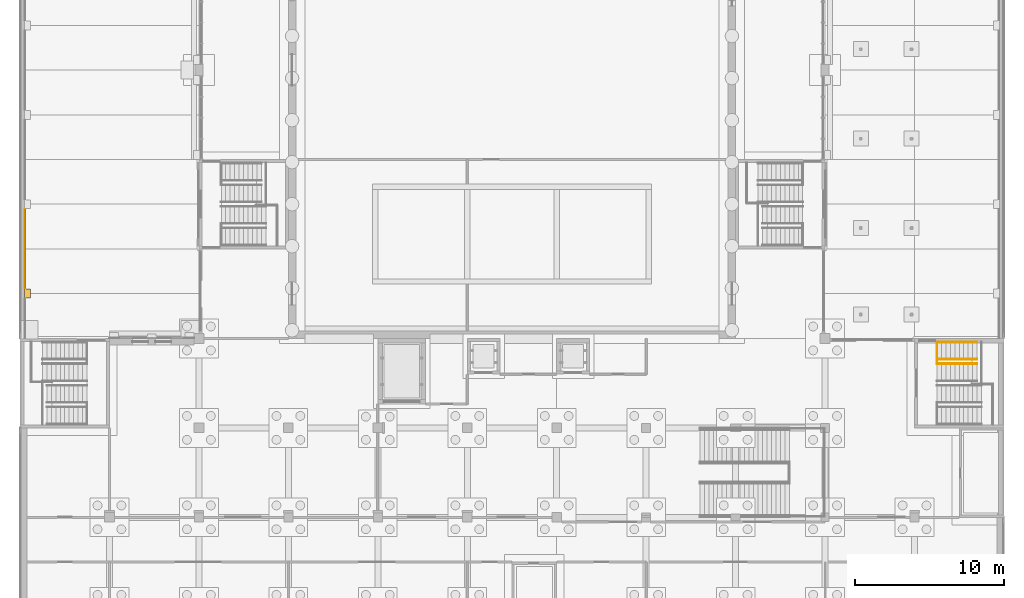
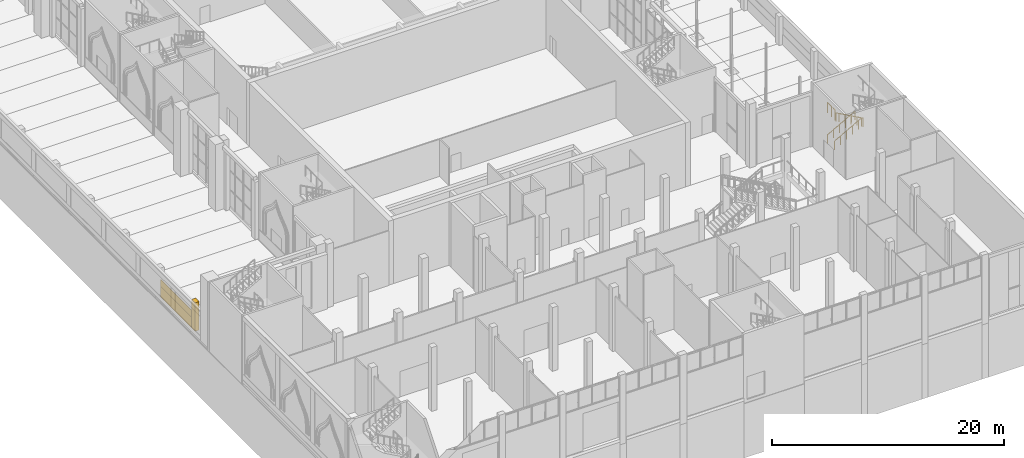
# One storey, part 65 of 95: 4 railings, 3 coverings.
"""IFC4 building model written with IfcOpenShell, lengths in metres."""

from ifc_helpers import new_model, si_unit, direction, frame, origin, origin_2d, place, context, subcontext, project, spatial, rectangle, circle, extrude, material, layer, layer_set, type_object, element, save


model = new_model("IFC4")

# Units and contexts
model_context = context("Model", 3, precision=1e-05, world=origin(), true_north=direction((0.0, 1.0)))
body_context = subcontext(model_context, "Body", "Model", "MODEL_VIEW")
ifc_project = project(units=[si_unit("LENGTHUNIT", "METRE"), si_unit("AREAUNIT", "SQUARE_METRE"), si_unit("VOLUMEUNIT", "CUBIC_METRE"), si_unit("PLANEANGLEUNIT", "RADIAN"), si_unit("MASSUNIT", "GRAM", prefix="KILO")], contexts=[model_context])

# Site, building, storey
site_placement = place(None, origin())
site = spatial("IfcSite", under=ifc_project, at=site_placement, CompositionType="ELEMENT")
building_placement = place(site_placement, origin())
building = spatial("IfcBuilding", under=site, at=building_placement, Name="Saffron Lane Theatres", CompositionType="ELEMENT")
storey_placement = place(building_placement, origin())
storey = spatial("IfcBuildingStorey", under=building, at=storey_placement, Name="L00", CompositionType="ELEMENT", Elevation=0.0)

# Coverings
ifc_material_1 = material(Name="Masonry sandstone", Category="masonry")
ifc_layer_1 = layer(ifc_material_1, 0.0400390625)
ifc_layer_set_1 = layer_set([ifc_layer_1], Name="Masonry sandstone")
covering_type_1 = type_object("IfcCoveringType", Name="EX-BANDING COURSE SANDSTONE 40", PredefinedType="CLADDING", material=ifc_layer_set_1)
covering_1_placement = place(storey_placement, frame((0.330078125, 36.0, 1.10009765625), z_axis=(0.0, 0.0, 1.0), x_axis=(0.0, 1.0, 0.0)))
element("IfcCovering", 1, at=covering_1_placement, inside=storey, type_object=covering_type_1, Name="Banding course L00", PredefinedType="CLADDING", context=body_context, shape_type="SweptSolid", body=[
    extrude(rectangle(XDim=5.300048828125, YDim=0.0400390625, at=origin_2d()), origin(), (0.0, 0.0, 1.0), 0.75),
])
ifc_material_2 = material(Name="Masonry sandstone", Category="masonry")
ifc_layer_2 = layer(ifc_material_2, 0.39990234375)
ifc_layer_set_2 = layer_set([ifc_layer_2], Name="Masonry sandstone")
covering_type_2 = type_object("IfcCoveringType", Name="EX-BOUNDARY PILASTER SANDSTONE 400", PredefinedType="CLADDING", material=ifc_layer_set_2)
covering_2_placement = place(storey_placement, frame((0.510009765625, 33.0, 0.0), z_axis=(0.0, 0.0, 1.0), x_axis=(0.0, 1.0, 0.0)))
element("IfcCovering", 2, at=covering_2_placement, inside=storey, type_object=covering_type_2, Name="Boundary wall pilaster L00", PredefinedType="CLADDING", context=body_context, shape_type="SweptSolid", body=[
    extrude(rectangle(XDim=0.60009765625, YDim=0.39990234375, at=origin_2d()), origin(), (0.0, 0.0, 1.0), 3.0),
])
ifc_material_3 = material(Name="Masonry sandstone", Category="masonry")
ifc_layer_3 = layer(ifc_material_3, 0.070068359375)
ifc_layer_set_3 = layer_set([ifc_layer_3], Name="Masonry sandstone")
covering_type_3 = type_object("IfcCoveringType", Name="EX-PLINTH COURSE SANDSTONE 70", PredefinedType="CLADDING", material=ifc_layer_set_3)
covering_3_placement = place(storey_placement, frame((0.344970703125, 36.0, 0.0), z_axis=(0.0, 0.0, 1.0), x_axis=(0.0, 1.0, 0.0)))
element("IfcCovering", 3, at=covering_3_placement, inside=storey, type_object=covering_type_3, Name="Plinth course L00", PredefinedType="CLADDING", context=body_context, shape_type="SweptSolid", body=[
    extrude(rectangle(XDim=5.300048828125, YDim=0.070068359375, at=origin_2d()), origin(), (0.0, 0.0, 1.0), 1.10009765625),
])

# Railings
ifc_material_4 = material(Name="Steel Grade 350", Category="steel")
railing_type_1 = type_object("IfcRailingType", Name="VC-GUARD 1100", PredefinedType="GUARDRAIL", material=ifc_material_4)
railing_1_placement = place(storey_placement, frame((61.5, 29.77001953125, 3.333251953125)))
element("IfcRailing", 4, at=railing_1_placement, inside=storey, type_object=railing_type_1, Name="Studio North Stair landing guard 1S2w", PredefinedType="GUARDRAIL", context=body_context, shape_type="SweptSolid", body=[
    extrude(circle(Radius=0.02392578125, at=origin_2d()), frame((0.0, 0.0, 1.076171875), z_axis=(0.0, -1.0, 0.0), x_axis=(1.0, 0.0, 0.0)), (0.0, 0.0, 1.0), 1.320068359375),
    extrude(circle(Radius=0.02099609375, at=origin_2d()), origin(), (0.0, 0.0, 1.0), 1.052001953125),
    extrude(circle(Radius=0.02099609375, at=origin_2d()), frame((0.0, -0.66015625, 0.0)), (0.0, 0.0, 1.0), 1.052001953125),
    extrude(circle(Radius=0.02099609375, at=origin_2d()), frame((0.0, -1.320068359375, 0.0)), (0.0, 0.0, 1.0), 1.052001953125),
])
ifc_material_5 = material(Name="Steel Grade 350", Category="steel")
railing_type_2 = type_object("IfcRailingType", Name="VC-HANDRAIL 900", PredefinedType="HANDRAIL", material=ifc_material_5)
railing_2_placement = place(storey_placement, frame((61.5, 29.75, 0.166748046875)))
element("IfcRailing", 5, at=railing_2_placement, inside=storey, type_object=railing_type_2, Name="Studio North Stair handrail 1.1a", PredefinedType="HANDRAIL", context=body_context, shape_type="SweptSolid", body=[
    extrude(circle(Radius=0.02392578125, at=origin_2d()), frame((0.0, 0.0, 0.8759765625), z_axis=(0.874241147926, 0.0, 0.485491931212), x_axis=(0.0, 1.0, 0.0)), (0.0, 0.0, 1.0), 0.6865234375),
    extrude(circle(Radius=0.02392578125, at=origin_2d()), frame((0.60009765625, 0.0, 1.208984375), z_axis=(0.874157276122, 0.0, 0.485642931179), x_axis=(0.0, 1.0, 0.0)), (0.0, 0.0, 1.0), 0.686279296875),
    extrude(circle(Radius=0.02392578125, at=origin_2d()), frame((1.199951171875, 0.0, 1.54248046875), z_axis=(0.874090171491, 0.0, 0.485763699861), x_axis=(0.0, 1.0, 0.0)), (0.0, 0.0, 1.0), 0.6865234375),
    extrude(circle(Radius=0.02392578125, at=origin_2d()), frame((1.800048828125, 0.0, 1.8759765625), z_axis=(0.874157276122, 0.0, 0.485642931179), x_axis=(0.0, 1.0, 0.0)), (0.0, 0.0, 1.0), 0.686279296875),
    extrude(circle(Radius=0.02392578125, at=origin_2d()), frame((2.39990234375, 0.0, 2.208984375), z_axis=(0.874090171491, 0.0, 0.485763699861), x_axis=(0.0, 1.0, 0.0)), (0.0, 0.0, 1.0), 0.34326171875),
    extrude(circle(Radius=0.02099609375, at=origin_2d()), origin(), (0.0, 0.0, 1.0), 0.851806640625),
    extrude(circle(Radius=0.02099609375, at=origin_2d()), frame((0.60009765625, 0.0, 0.333251953125)), (0.0, 0.0, 1.0), 0.851806640625),
    extrude(circle(Radius=0.02099609375, at=origin_2d()), frame((1.199951171875, 0.0, 0.66650390625)), (0.0, 0.0, 1.0), 0.851806640625),
    extrude(circle(Radius=0.02099609375, at=origin_2d()), frame((1.800048828125, 0.0, 1.0)), (0.0, 0.0, 1.0), 0.851806640625),
    extrude(circle(Radius=0.02099609375, at=origin_2d()), frame((2.39990234375, 0.0, 1.333251953125)), (0.0, 0.0, 1.0), 0.851806640625),
    extrude(circle(Radius=0.02099609375, at=origin_2d()), frame((2.699951171875, 0.0, 1.5)), (0.0, 0.0, 1.0), 0.851806640625),
])
railing_3_placement = place(storey_placement, frame((61.5, 28.60009765625, 0.166748046875)))
element("IfcRailing", 6, at=railing_3_placement, inside=storey, type_object=railing_type_2, Name="Studio North Stair handrail 1.1b", PredefinedType="HANDRAIL", context=body_context, shape_type="SweptSolid", body=[
    extrude(circle(Radius=0.02392578125, at=origin_2d()), frame((0.0, 0.0, 0.8759765625), z_axis=(0.874241147926, 0.0, 0.485491931212), x_axis=(0.0, 1.0, 0.0)), (0.0, 0.0, 1.0), 0.6865234375),
    extrude(circle(Radius=0.02392578125, at=origin_2d()), frame((0.60009765625, 0.0, 1.208984375), z_axis=(0.874157276122, 0.0, 0.485642931179), x_axis=(0.0, 1.0, 0.0)), (0.0, 0.0, 1.0), 0.686279296875),
    extrude(circle(Radius=0.02392578125, at=origin_2d()), frame((1.199951171875, 0.0, 1.54248046875), z_axis=(0.874090171491, 0.0, 0.485763699861), x_axis=(0.0, 1.0, 0.0)), (0.0, 0.0, 1.0), 0.6865234375),
    extrude(circle(Radius=0.02392578125, at=origin_2d()), frame((1.800048828125, 0.0, 1.8759765625), z_axis=(0.874157276122, 0.0, 0.485642931179), x_axis=(0.0, 1.0, 0.0)), (0.0, 0.0, 1.0), 0.686279296875),
    extrude(circle(Radius=0.02392578125, at=origin_2d()), frame((2.39990234375, 0.0, 2.208984375), z_axis=(0.874090171491, 0.0, 0.485763699861), x_axis=(0.0, 1.0, 0.0)), (0.0, 0.0, 1.0), 0.34326171875),
    extrude(circle(Radius=0.02099609375, at=origin_2d()), origin(), (0.0, 0.0, 1.0), 0.851806640625),
    extrude(circle(Radius=0.02099609375, at=origin_2d()), frame((0.60009765625, 0.0, 0.333251953125)), (0.0, 0.0, 1.0), 0.851806640625),
    extrude(circle(Radius=0.02099609375, at=origin_2d()), frame((1.199951171875, 0.0, 0.66650390625)), (0.0, 0.0, 1.0), 0.851806640625),
    extrude(circle(Radius=0.02099609375, at=origin_2d()), frame((1.800048828125, 0.0, 1.0)), (0.0, 0.0, 1.0), 0.851806640625),
    extrude(circle(Radius=0.02099609375, at=origin_2d()), frame((2.39990234375, 0.0, 1.333251953125)), (0.0, 0.0, 1.0), 0.851806640625),
    extrude(circle(Radius=0.02099609375, at=origin_2d()), frame((2.699951171875, 0.0, 1.5)), (0.0, 0.0, 1.0), 0.851806640625),
])
railing_4_placement = place(storey_placement, frame((64.199951171875, 28.300048828125, 1.833251953125)))
element("IfcRailing", 7, at=railing_4_placement, inside=storey, type_object=railing_type_2, Name="Studio North Stair handrail 1.2a", PredefinedType="HANDRAIL", context=body_context, shape_type="SweptSolid", body=[
    extrude(circle(Radius=0.02392578125, at=origin_2d()), frame((0.0, 0.0, 0.8759765625), z_axis=(-0.874006220275, 0.0, 0.485914732151), x_axis=(0.0, -1.0, 0.0)), (0.0, 0.0, 1.0), 0.686279296875),
    extrude(circle(Radius=0.02392578125, at=origin_2d()), frame((-0.599853515625, 0.0, 1.20947265625), z_axis=(-0.874241147926, 0.0, 0.485491931212), x_axis=(0.0, -1.0, 0.0)), (0.0, 0.0, 1.0), 0.6865234375),
    extrude(circle(Radius=0.02392578125, at=origin_2d()), frame((-1.199951171875, 0.0, 1.54248046875), z_axis=(-0.874241147926, 0.0, 0.485491931212), x_axis=(0.0, -1.0, 0.0)), (0.0, 0.0, 1.0), 0.6865234375),
    extrude(circle(Radius=0.02392578125, at=origin_2d()), frame((-1.800048828125, 0.0, 1.8759765625), z_axis=(-0.874006220275, 0.0, 0.485914732151), x_axis=(0.0, -1.0, 0.0)), (0.0, 0.0, 1.0), 0.686279296875),
    extrude(circle(Radius=0.02392578125, at=origin_2d()), frame((-2.39990234375, 0.0, 2.20947265625), z_axis=(-0.87439209197, 0.0, 0.485220021744), x_axis=(0.0, -1.0, 0.0)), (0.0, 0.0, 1.0), 0.34326171875),
    extrude(circle(Radius=0.02099609375, at=origin_2d()), origin(), (0.0, 0.0, 1.0), 0.851806640625),
    extrude(circle(Radius=0.02099609375, at=origin_2d()), frame((-0.599853515625, 0.0, 0.33349609375)), (0.0, 0.0, 1.0), 0.851806640625),
    extrude(circle(Radius=0.02099609375, at=origin_2d()), frame((-1.199951171875, 0.0, 0.666748046875)), (0.0, 0.0, 1.0), 0.851806640625),
    extrude(circle(Radius=0.02099609375, at=origin_2d()), frame((-1.800048828125, 0.0, 1.0)), (0.0, 0.0, 1.0), 0.851806640625),
    extrude(circle(Radius=0.02099609375, at=origin_2d()), frame((-2.39990234375, 0.0, 1.33349609375)), (0.0, 0.0, 1.0), 0.851806640625),
    extrude(circle(Radius=0.02099609375, at=origin_2d()), frame((-2.699951171875, 0.0, 1.5)), (0.0, 0.0, 1.0), 0.851806640625),
])

save(model, "model.ifc")
